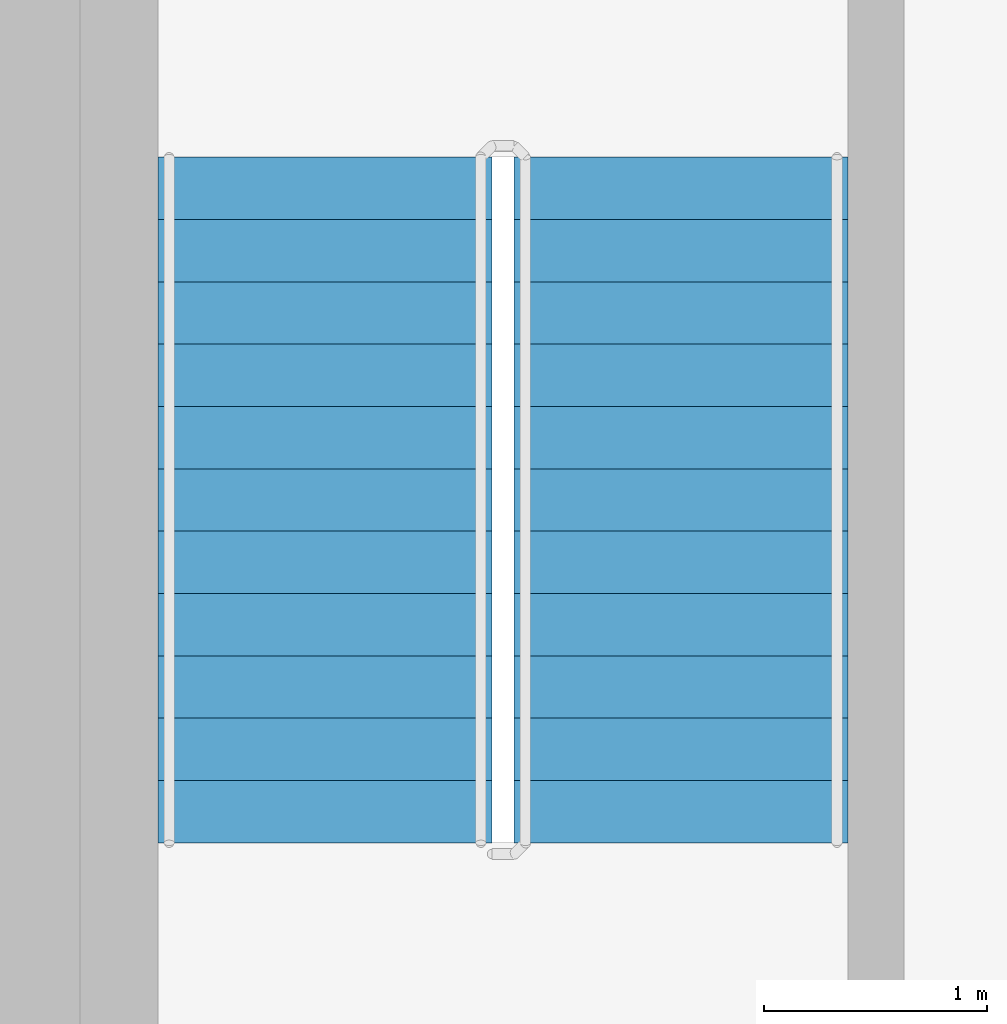
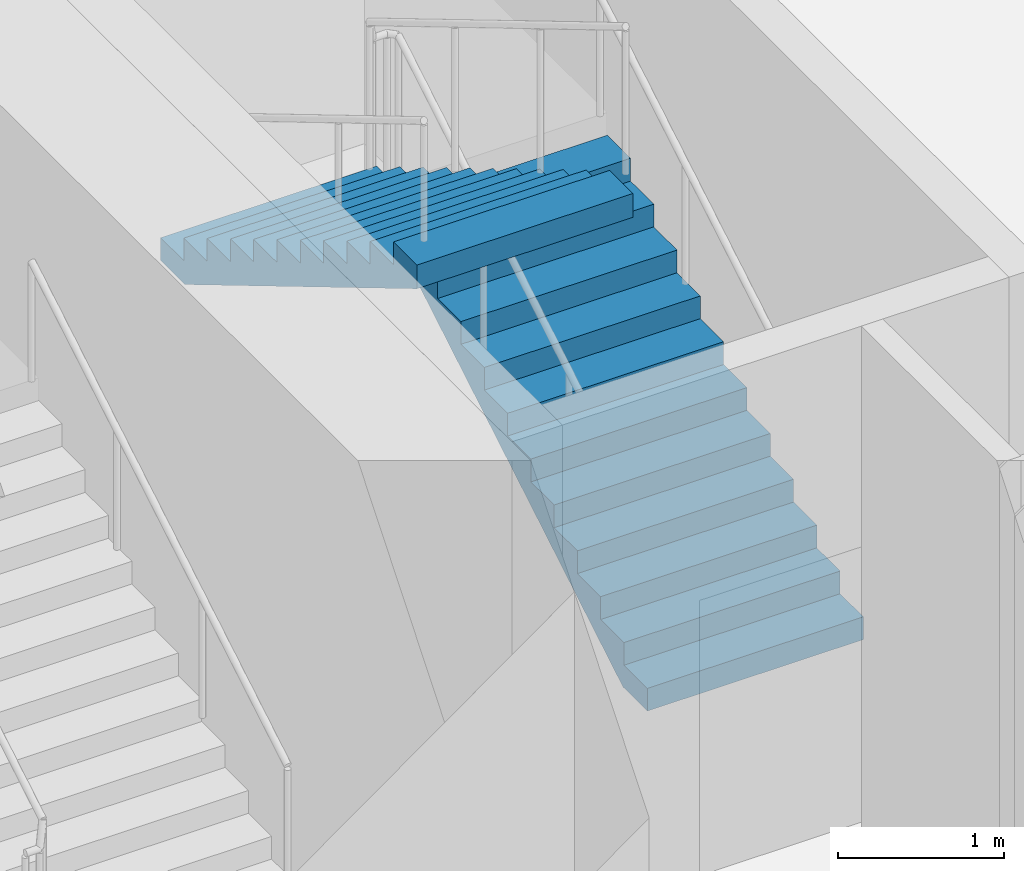
# One storey, part 16 of 26: 2 stair flights, 1 element without a shape of its own.
"""IFC4 building model written with IfcOpenShell, lengths in metres."""

from ifc_helpers import new_model, si_unit, direction, frame, origin, place, context, subcontext, project, spatial, triangles, source, transform, mapped, material, type_object, element, aggregate, save


model = new_model("IFC4")

# Units and contexts
model_context = context("Model", 3, precision=1e-05, world=origin(), true_north=direction((0.0, 1.0)))
body_context = subcontext(model_context, "Body", "Model", "MODEL_VIEW")
ifc_project = project(units=[si_unit("LENGTHUNIT", "METRE"), si_unit("AREAUNIT", "SQUARE_METRE"), si_unit("VOLUMEUNIT", "CUBIC_METRE"), si_unit("PLANEANGLEUNIT", "RADIAN"), si_unit("MASSUNIT", "GRAM", prefix="KILO")], contexts=[model_context])

# Site, building, storey
site_placement = place(None, origin())
site = spatial("IfcSite", under=ifc_project, at=site_placement, CompositionType="ELEMENT")
building_placement = place(site_placement, origin())
building = spatial("IfcBuilding", under=site, at=building_placement, Name="Kilnfold Tower and Market Hall", CompositionType="ELEMENT")
storey_placement = place(building_placement, frame((0.0, 0.0, 108.60009765625)))
storey = spatial("IfcBuildingStorey", under=building, at=storey_placement, Name="L25", CompositionType="ELEMENT", Elevation=108.60009765625)

# Stair, stair flights
ifc_material_1 = material(Name="Concrete C40/50", Category="concrete")
stair_type = type_object("IfcStairType", Name="CORE STAIR 1500", PredefinedType="HALF_TURN_STAIR", material=ifc_material_1)
stair_placement = place(storey_placement, origin())
stair = element("IfcStair", 1, at=stair_placement, inside=storey, type_object=stair_type, Name="L25 ST5", PredefinedType="HALF_TURN_STAIR")
ifc_material_2 = material(Name="Concrete C40/50", Category="concrete")
stair_flight_type = type_object("IfcStairFlightType", Name="CORE STAIR FLIGHT 1500", PredefinedType="STRAIGHT", material=ifc_material_2)
shared_shape = source(origin(), body_context, "Body", "Tessellation", [
    triangles([(0.0, 0.75, 0.0), (0.0, 0.65625, 0.0), (0.0, 0.5625, 0.0), (0.0, 0.46875, 0.0), (0.0, 0.375, 0.0), (0.0, 0.28125, 0.0), (0.0, 0.1875, 0.0), (0.0, 0.09375, 0.0), (0.0, 0.0, 0.0), (0.0, -0.09375, 0.0), (0.0, -0.1875, 0.0), (0.0, -0.28125, 0.0), (0.0, -0.375, 0.0), (0.0, -0.46875, 0.0), (0.0, -0.5625, 0.0), (0.0, -0.65625, 0.0), (0.0, -0.75, 0.0), (0.0, 0.75, 0.166748046875), (0.0, 0.65625, 0.166748046875), (0.0, 0.5625, 0.166748046875), (0.0, 0.46875, 0.166748046875), (0.0, 0.375, 0.166748046875), (0.0, 0.28125, 0.166748046875), (0.0, 0.1875, 0.166748046875), (0.0, 0.09375, 0.166748046875), (0.0, 0.0, 0.166748046875), (0.0, -0.09375, 0.166748046875), (0.0, -0.1875, 0.166748046875), (0.0, -0.28125, 0.166748046875), (0.0, -0.375, 0.166748046875), (0.0, -0.46875, 0.166748046875), (0.0, -0.5625, 0.166748046875), (0.0, -0.65625, 0.166748046875), (0.0, -0.75, 0.166748046875), (0.280029296875, 0.75, 0.166748046875), (0.280029296875, 0.65625, 0.166748046875), (0.280029296875, 0.5625, 0.166748046875), (0.280029296875, 0.46875, 0.166748046875), (0.280029296875, 0.375, 0.166748046875), (0.280029296875, 0.28125, 0.166748046875), (0.280029296875, 0.1875, 0.166748046875), (0.280029296875, 0.09375, 0.166748046875), (0.280029296875, 0.0, 0.166748046875), (0.280029296875, -0.09375, 0.166748046875), (0.280029296875, -0.1875, 0.166748046875), (0.280029296875, -0.28125, 0.166748046875), (0.280029296875, -0.375, 0.166748046875), (0.280029296875, -0.46875, 0.166748046875), (0.280029296875, -0.5625, 0.166748046875), (0.280029296875, -0.65625, 0.166748046875), (0.280029296875, -0.75, 0.166748046875), (0.280029296875, 0.75, 0.333251953125), (0.280029296875, 0.65625, 0.333251953125), (0.280029296875, 0.5625, 0.333251953125), (0.280029296875, 0.46875, 0.333251953125), (0.280029296875, 0.375, 0.333251953125), (0.280029296875, 0.28125, 0.333251953125), (0.280029296875, 0.1875, 0.333251953125), (0.280029296875, 0.09375, 0.333251953125), (0.280029296875, 0.0, 0.333251953125), (0.280029296875, -0.09375, 0.333251953125), (0.280029296875, -0.1875, 0.333251953125), (0.280029296875, -0.28125, 0.333251953125), (0.280029296875, -0.375, 0.333251953125), (0.280029296875, -0.46875, 0.333251953125), (0.280029296875, -0.5625, 0.333251953125), (0.280029296875, -0.65625, 0.333251953125), (0.280029296875, -0.75, 0.333251953125), (0.56005859375, 0.75, 0.333251953125), (0.56005859375, 0.65625, 0.333251953125), (0.56005859375, 0.5625, 0.333251953125), (0.56005859375, 0.46875, 0.333251953125), (0.56005859375, 0.375, 0.333251953125), (0.56005859375, 0.28125, 0.333251953125), (0.56005859375, 0.1875, 0.333251953125), (0.56005859375, 0.09375, 0.333251953125), (0.56005859375, 0.0, 0.333251953125), (0.56005859375, -0.09375, 0.333251953125), (0.56005859375, -0.1875, 0.333251953125), (0.56005859375, -0.28125, 0.333251953125), (0.56005859375, -0.375, 0.333251953125), (0.56005859375, -0.46875, 0.333251953125), (0.56005859375, -0.5625, 0.333251953125), (0.56005859375, -0.65625, 0.333251953125), (0.56005859375, -0.75, 0.333251953125), (0.56005859375, 0.75, 0.5), (0.56005859375, 0.65625, 0.5), (0.56005859375, 0.5625, 0.5), (0.56005859375, 0.46875, 0.5), (0.56005859375, 0.375, 0.5), (0.56005859375, 0.28125, 0.5), (0.56005859375, 0.1875, 0.5), (0.56005859375, 0.09375, 0.5), (0.56005859375, 0.0, 0.5), (0.56005859375, -0.09375, 0.5), (0.56005859375, -0.1875, 0.5), (0.56005859375, -0.28125, 0.5), (0.56005859375, -0.375, 0.5), (0.56005859375, -0.46875, 0.5), (0.56005859375, -0.5625, 0.5), (0.56005859375, -0.65625, 0.5), (0.56005859375, -0.75, 0.5), (0.840087890625, 0.75, 0.5), (0.840087890625, 0.65625, 0.5), (0.840087890625, 0.5625, 0.5), (0.840087890625, 0.46875, 0.5), (0.840087890625, 0.375, 0.5), (0.840087890625, 0.28125, 0.5), (0.840087890625, 0.1875, 0.5), (0.840087890625, 0.09375, 0.5), (0.840087890625, 0.0, 0.5), (0.840087890625, -0.09375, 0.5), (0.840087890625, -0.1875, 0.5), (0.840087890625, -0.28125, 0.5), (0.840087890625, -0.375, 0.5), (0.840087890625, -0.46875, 0.5), (0.840087890625, -0.5625, 0.5), (0.840087890625, -0.65625, 0.5), (0.840087890625, -0.75, 0.5), (0.840087890625, 0.75, 0.666748046875), (0.840087890625, 0.65625, 0.666748046875), (0.840087890625, 0.5625, 0.666748046875), (0.840087890625, 0.46875, 0.666748046875), (0.840087890625, 0.375, 0.666748046875), (0.840087890625, 0.28125, 0.666748046875), (0.840087890625, 0.1875, 0.666748046875), (0.840087890625, 0.09375, 0.666748046875), (0.840087890625, 0.0, 0.666748046875), (0.840087890625, -0.09375, 0.666748046875), (0.840087890625, -0.1875, 0.666748046875), (0.840087890625, -0.28125, 0.666748046875), (0.840087890625, -0.375, 0.666748046875), (0.840087890625, -0.46875, 0.666748046875), (0.840087890625, -0.5625, 0.666748046875), (0.840087890625, -0.65625, 0.666748046875), (0.840087890625, -0.75, 0.666748046875), (1.1201171875, 0.75, 0.666748046875), (1.1201171875, 0.65625, 0.666748046875), (1.1201171875, 0.5625, 0.666748046875), (1.1201171875, 0.46875, 0.666748046875), (1.1201171875, 0.375, 0.666748046875), (1.1201171875, 0.28125, 0.666748046875), (1.1201171875, 0.1875, 0.666748046875), (1.1201171875, 0.09375, 0.666748046875), (1.1201171875, 0.0, 0.666748046875), (1.1201171875, -0.09375, 0.666748046875), (1.1201171875, -0.1875, 0.666748046875), (1.1201171875, -0.28125, 0.666748046875), (1.1201171875, -0.375, 0.666748046875), (1.1201171875, -0.46875, 0.666748046875), (1.1201171875, -0.5625, 0.666748046875), (1.1201171875, -0.65625, 0.666748046875), (1.1201171875, -0.75, 0.666748046875), (1.1201171875, 0.75, 0.833251953125), (1.1201171875, 0.65625, 0.833251953125), (1.1201171875, 0.5625, 0.833251953125), (1.1201171875, 0.46875, 0.833251953125), (1.1201171875, 0.375, 0.833251953125), (1.1201171875, 0.28125, 0.833251953125), (1.1201171875, 0.1875, 0.833251953125), (1.1201171875, 0.09375, 0.833251953125), (1.1201171875, 0.0, 0.833251953125), (1.1201171875, -0.09375, 0.833251953125), (1.1201171875, -0.1875, 0.833251953125), (1.1201171875, -0.28125, 0.833251953125), (1.1201171875, -0.375, 0.833251953125), (1.1201171875, -0.46875, 0.833251953125), (1.1201171875, -0.5625, 0.833251953125), (1.1201171875, -0.65625, 0.833251953125), (1.1201171875, -0.75, 0.833251953125), (1.39990234375, 0.75, 0.833251953125), (1.39990234375, 0.65625, 0.833251953125), (1.39990234375, 0.5625, 0.833251953125), (1.39990234375, 0.46875, 0.833251953125), (1.39990234375, 0.375, 0.833251953125), (1.39990234375, 0.28125, 0.833251953125), (1.39990234375, 0.1875, 0.833251953125), (1.39990234375, 0.09375, 0.833251953125), (1.39990234375, 0.0, 0.833251953125), (1.39990234375, -0.09375, 0.833251953125), (1.39990234375, -0.1875, 0.833251953125), (1.39990234375, -0.28125, 0.833251953125), (1.39990234375, -0.375, 0.833251953125), (1.39990234375, -0.46875, 0.833251953125), (1.39990234375, -0.5625, 0.833251953125), (1.39990234375, -0.65625, 0.833251953125), (1.39990234375, -0.75, 0.833251953125), (1.39990234375, 0.75, 1.0), (1.39990234375, 0.65625, 1.0), (1.39990234375, 0.5625, 1.0), (1.39990234375, 0.46875, 1.0), (1.39990234375, 0.375, 1.0), (1.39990234375, 0.28125, 1.0), (1.39990234375, 0.1875, 1.0), (1.39990234375, 0.09375, 1.0), (1.39990234375, 0.0, 1.0), (1.39990234375, -0.09375, 1.0), (1.39990234375, -0.1875, 1.0), (1.39990234375, -0.28125, 1.0), (1.39990234375, -0.375, 1.0), (1.39990234375, -0.46875, 1.0), (1.39990234375, -0.5625, 1.0), (1.39990234375, -0.65625, 1.0), (1.39990234375, -0.75, 1.0), (1.679931640625, 0.75, 1.0), (1.679931640625, 0.65625, 1.0), (1.679931640625, 0.5625, 1.0), (1.679931640625, 0.46875, 1.0), (1.679931640625, 0.375, 1.0), (1.679931640625, 0.28125, 1.0), (1.679931640625, 0.1875, 1.0), (1.679931640625, 0.09375, 1.0), (1.679931640625, 0.0, 1.0), (1.679931640625, -0.09375, 1.0), (1.679931640625, -0.1875, 1.0), (1.679931640625, -0.28125, 1.0), (1.679931640625, -0.375, 1.0), (1.679931640625, -0.46875, 1.0), (1.679931640625, -0.5625, 1.0), (1.679931640625, -0.65625, 1.0), (1.679931640625, -0.75, 1.0), (1.679931640625, 0.75, 1.166748046875), (1.679931640625, 0.65625, 1.166748046875), (1.679931640625, 0.5625, 1.166748046875), (1.679931640625, 0.46875, 1.166748046875), (1.679931640625, 0.375, 1.166748046875), (1.679931640625, 0.28125, 1.166748046875), (1.679931640625, 0.1875, 1.166748046875), (1.679931640625, 0.09375, 1.166748046875), (1.679931640625, 0.0, 1.166748046875), (1.679931640625, -0.09375, 1.166748046875), (1.679931640625, -0.1875, 1.166748046875), (1.679931640625, -0.28125, 1.166748046875), (1.679931640625, -0.375, 1.166748046875), (1.679931640625, -0.46875, 1.166748046875), (1.679931640625, -0.5625, 1.166748046875), (1.679931640625, -0.65625, 1.166748046875), (1.679931640625, -0.75, 1.166748046875), (1.9599609375, 0.75, 1.166748046875), (1.9599609375, 0.65625, 1.166748046875), (1.9599609375, 0.5625, 1.166748046875), (1.9599609375, 0.46875, 1.166748046875), (1.9599609375, 0.375, 1.166748046875), (1.9599609375, 0.28125, 1.166748046875), (1.9599609375, 0.1875, 1.166748046875), (1.9599609375, 0.09375, 1.166748046875), (1.9599609375, 0.0, 1.166748046875), (1.9599609375, -0.09375, 1.166748046875), (1.9599609375, -0.1875, 1.166748046875), (1.9599609375, -0.28125, 1.166748046875), (1.9599609375, -0.375, 1.166748046875), (1.9599609375, -0.46875, 1.166748046875), (1.9599609375, -0.5625, 1.166748046875), (1.9599609375, -0.65625, 1.166748046875), (1.9599609375, -0.75, 1.166748046875), (1.9599609375, 0.75, 1.333251953125), (1.9599609375, 0.65625, 1.333251953125), (1.9599609375, 0.5625, 1.333251953125), (1.9599609375, 0.46875, 1.333251953125), (1.9599609375, 0.375, 1.333251953125), (1.9599609375, 0.28125, 1.333251953125), (1.9599609375, 0.1875, 1.333251953125), (1.9599609375, 0.09375, 1.333251953125), (1.9599609375, 0.0, 1.333251953125), (1.9599609375, -0.09375, 1.333251953125), (1.9599609375, -0.1875, 1.333251953125), (1.9599609375, -0.28125, 1.333251953125), (1.9599609375, -0.375, 1.333251953125), (1.9599609375, -0.46875, 1.333251953125), (1.9599609375, -0.5625, 1.333251953125), (1.9599609375, -0.65625, 1.333251953125), (1.9599609375, -0.75, 1.333251953125), (2.239990234375, 0.75, 1.333251953125), (2.239990234375, 0.65625, 1.333251953125), (2.239990234375, 0.5625, 1.333251953125), (2.239990234375, 0.46875, 1.333251953125), (2.239990234375, 0.375, 1.333251953125), (2.239990234375, 0.28125, 1.333251953125), (2.239990234375, 0.1875, 1.333251953125), (2.239990234375, 0.09375, 1.333251953125), (2.239990234375, 0.0, 1.333251953125), (2.239990234375, -0.09375, 1.333251953125), (2.239990234375, -0.1875, 1.333251953125), (2.239990234375, -0.28125, 1.333251953125), (2.239990234375, -0.375, 1.333251953125), (2.239990234375, -0.46875, 1.333251953125), (2.239990234375, -0.5625, 1.333251953125), (2.239990234375, -0.65625, 1.333251953125), (2.239990234375, -0.75, 1.333251953125), (2.239990234375, 0.75, 1.5), (2.239990234375, 0.65625, 1.5), (2.239990234375, 0.5625, 1.5), (2.239990234375, 0.46875, 1.5), (2.239990234375, 0.375, 1.5), (2.239990234375, 0.28125, 1.5), (2.239990234375, 0.1875, 1.5), (2.239990234375, 0.09375, 1.5), (2.239990234375, 0.0, 1.5), (2.239990234375, -0.09375, 1.5), (2.239990234375, -0.1875, 1.5), (2.239990234375, -0.28125, 1.5), (2.239990234375, -0.375, 1.5), (2.239990234375, -0.46875, 1.5), (2.239990234375, -0.5625, 1.5), (2.239990234375, -0.65625, 1.5), (2.239990234375, -0.75, 1.5), (2.52001953125, 0.75, 1.5), (2.52001953125, 0.65625, 1.5), (2.52001953125, 0.5625, 1.5), (2.52001953125, 0.46875, 1.5), (2.52001953125, 0.375, 1.5), (2.52001953125, 0.28125, 1.5), (2.52001953125, 0.1875, 1.5), (2.52001953125, 0.09375, 1.5), (2.52001953125, 0.0, 1.5), (2.52001953125, -0.09375, 1.5), (2.52001953125, -0.1875, 1.5), (2.52001953125, -0.28125, 1.5), (2.52001953125, -0.375, 1.5), (2.52001953125, -0.46875, 1.5), (2.52001953125, -0.5625, 1.5), (2.52001953125, -0.65625, 1.5), (2.52001953125, -0.75, 1.5), (2.52001953125, 0.75, 1.666748046875), (2.52001953125, 0.65625, 1.666748046875), (2.52001953125, 0.5625, 1.666748046875), (2.52001953125, 0.46875, 1.666748046875), (2.52001953125, 0.375, 1.666748046875), (2.52001953125, 0.28125, 1.666748046875), (2.52001953125, 0.1875, 1.666748046875), (2.52001953125, 0.09375, 1.666748046875), (2.52001953125, 0.0, 1.666748046875), (2.52001953125, -0.09375, 1.666748046875), (2.52001953125, -0.1875, 1.666748046875), (2.52001953125, -0.28125, 1.666748046875), (2.52001953125, -0.375, 1.666748046875), (2.52001953125, -0.46875, 1.666748046875), (2.52001953125, -0.5625, 1.666748046875), (2.52001953125, -0.65625, 1.666748046875), (2.52001953125, -0.75, 1.666748046875), (2.800048828125, 0.75, 1.666748046875), (2.800048828125, 0.65625, 1.666748046875), (2.800048828125, 0.5625, 1.666748046875), (2.800048828125, 0.46875, 1.666748046875), (2.800048828125, 0.375, 1.666748046875), (2.800048828125, 0.28125, 1.666748046875), (2.800048828125, 0.1875, 1.666748046875), (2.800048828125, 0.09375, 1.666748046875), (2.800048828125, 0.0, 1.666748046875), (2.800048828125, -0.09375, 1.666748046875), (2.800048828125, -0.1875, 1.666748046875), (2.800048828125, -0.28125, 1.666748046875), (2.800048828125, -0.375, 1.666748046875), (2.800048828125, -0.46875, 1.666748046875), (2.800048828125, -0.5625, 1.666748046875), (2.800048828125, -0.65625, 1.666748046875), (2.800048828125, -0.75, 1.666748046875), (2.800048828125, 0.75, 1.833251953125), (2.800048828125, 0.65625, 1.833251953125), (2.800048828125, 0.5625, 1.833251953125), (2.800048828125, 0.46875, 1.833251953125), (2.800048828125, 0.375, 1.833251953125), (2.800048828125, 0.28125, 1.833251953125), (2.800048828125, 0.1875, 1.833251953125), (2.800048828125, 0.09375, 1.833251953125), (2.800048828125, 0.0, 1.833251953125), (2.800048828125, -0.09375, 1.833251953125), (2.800048828125, -0.1875, 1.833251953125), (2.800048828125, -0.28125, 1.833251953125), (2.800048828125, -0.375, 1.833251953125), (2.800048828125, -0.46875, 1.833251953125), (2.800048828125, -0.5625, 1.833251953125), (2.800048828125, -0.65625, 1.833251953125), (2.800048828125, -0.75, 1.833251953125), (3.080078125, 0.75, 1.833251953125), (3.080078125, 0.65625, 1.833251953125), (3.080078125, 0.5625, 1.833251953125), (3.080078125, 0.46875, 1.833251953125), (3.080078125, 0.375, 1.833251953125), (3.080078125, 0.28125, 1.833251953125), (3.080078125, 0.1875, 1.833251953125), (3.080078125, 0.09375, 1.833251953125), (3.080078125, 0.0, 1.833251953125), (3.080078125, -0.09375, 1.833251953125), (3.080078125, -0.1875, 1.833251953125), (3.080078125, -0.28125, 1.833251953125), (3.080078125, -0.375, 1.833251953125), (3.080078125, -0.46875, 1.833251953125), (3.080078125, -0.5625, 1.833251953125), (3.080078125, -0.65625, 1.833251953125), (3.080078125, -0.75, 1.833251953125), (3.080078125, 0.75, 1.658935546875), (3.080078125, 0.65625, 1.658935546875), (3.080078125, 0.5625, 1.658935546875), (3.080078125, 0.46875, 1.658935546875), (3.080078125, 0.375, 1.658935546875), (3.080078125, 0.28125, 1.658935546875), (3.080078125, 0.1875, 1.658935546875), (3.080078125, 0.09375, 1.658935546875), (3.080078125, 0.0, 1.658935546875), (3.080078125, -0.09375, 1.658935546875), (3.080078125, -0.1875, 1.658935546875), (3.080078125, -0.28125, 1.658935546875), (3.080078125, -0.375, 1.658935546875), (3.080078125, -0.46875, 1.658935546875), (3.080078125, -0.5625, 1.658935546875), (3.080078125, -0.65625, 1.658935546875), (3.080078125, -0.75, 1.658935546875), (0.29296875, 0.75, 0.0), (0.29296875, 0.65625, 0.0), (0.29296875, 0.5625, 0.0), (0.29296875, 0.46875, 0.0), (0.29296875, 0.375, 0.0), (0.29296875, 0.28125, 0.0), (0.29296875, 0.1875, 0.0), (0.29296875, 0.09375, 0.0), (0.29296875, 0.0, 0.0), (0.29296875, -0.09375, 0.0), (0.29296875, -0.1875, 0.0), (0.29296875, -0.28125, 0.0), (0.29296875, -0.375, 0.0), (0.29296875, -0.46875, 0.0), (0.29296875, -0.5625, 0.0), (0.29296875, -0.65625, 0.0), (0.29296875, -0.75, 0.0)], [[1, 392, 409], [17, 425, 408], [392, 358, 375], [408, 391, 374], [392, 341, 358], [408, 374, 357], [392, 324, 341], [408, 357, 340], [392, 307, 324], [408, 340, 323], [307, 273, 290], [323, 306, 289], [392, 273, 307], [408, 323, 289], [273, 239, 256], [289, 272, 255], [392, 239, 273], [408, 289, 255], [239, 205, 222], [255, 238, 221], [392, 205, 239], [408, 255, 221], [205, 171, 188], [221, 204, 187], [392, 171, 205], [408, 221, 187], [171, 137, 154], [187, 170, 153], [392, 137, 171], [408, 187, 153], [137, 103, 120], [153, 136, 119], [392, 103, 137], [408, 153, 119], [103, 69, 86], [119, 102, 85], [392, 69, 103], [408, 119, 85], [1, 69, 392], [17, 408, 85], [69, 35, 52], [85, 68, 51], [1, 35, 69], [17, 85, 51], [35, 1, 18], [51, 34, 17], [1, 19, 18], [1, 2, 19], [2, 20, 19], [2, 3, 20], [3, 21, 20], [3, 4, 21], [4, 22, 21], [4, 5, 22], [5, 23, 22], [5, 6, 23], [6, 24, 23], [6, 7, 24], [7, 25, 24], [7, 8, 25], [8, 26, 25], [8, 9, 26], [9, 27, 26], [9, 10, 27], [10, 28, 27], [10, 11, 28], [11, 29, 28], [11, 12, 29], [12, 30, 29], [12, 13, 30], [13, 31, 30], [13, 14, 31], [14, 32, 31], [14, 15, 32], [15, 33, 32], [15, 16, 33], [16, 34, 33], [16, 17, 34], [18, 36, 35], [18, 19, 36], [19, 37, 36], [19, 20, 37], [20, 38, 37], [20, 21, 38], [21, 39, 38], [21, 22, 39], [22, 40, 39], [22, 23, 40], [23, 41, 40], [23, 24, 41], [24, 42, 41], [24, 25, 42], [25, 43, 42], [25, 26, 43], [26, 44, 43], [26, 27, 44], [27, 45, 44], [27, 28, 45], [28, 46, 45], [28, 29, 46], [29, 47, 46], [29, 30, 47], [30, 48, 47], [30, 31, 48], [31, 49, 48], [31, 32, 49], [32, 50, 49], [32, 33, 50], [33, 51, 50], [33, 34, 51], [35, 53, 52], [35, 36, 53], [36, 54, 53], [36, 37, 54], [37, 55, 54], [37, 38, 55], [38, 56, 55], [38, 39, 56], [39, 57, 56], [39, 40, 57], [40, 58, 57], [40, 41, 58], [41, 59, 58], [41, 42, 59], [42, 60, 59], [42, 43, 60], [43, 61, 60], [43, 44, 61], [44, 62, 61], [44, 45, 62], [45, 63, 62], [45, 46, 63], [46, 64, 63], [46, 47, 64], [47, 65, 64], [47, 48, 65], [48, 66, 65], [48, 49, 66], [49, 67, 66], [49, 50, 67], [50, 68, 67], [50, 51, 68], [52, 70, 69], [52, 53, 70], [53, 71, 70], [53, 54, 71], [54, 72, 71], [54, 55, 72], [55, 73, 72], [55, 56, 73], [56, 74, 73], [56, 57, 74], [57, 75, 74], [57, 58, 75], [58, 76, 75], [58, 59, 76], [59, 77, 76], [59, 60, 77], [60, 78, 77], [60, 61, 78], [61, 79, 78], [61, 62, 79], [62, 80, 79], [62, 63, 80], [63, 81, 80], [63, 64, 81], [64, 82, 81], [64, 65, 82], [65, 83, 82], [65, 66, 83], [66, 84, 83], [66, 67, 84], [67, 85, 84], [67, 68, 85], [69, 87, 86], [69, 70, 87], [70, 88, 87], [70, 71, 88], [71, 89, 88], [71, 72, 89], [72, 90, 89], [72, 73, 90], [73, 91, 90], [73, 74, 91], [74, 92, 91], [74, 75, 92], [75, 93, 92], [75, 76, 93], [76, 94, 93], [76, 77, 94], [77, 95, 94], [77, 78, 95], [78, 96, 95], [78, 79, 96], [79, 97, 96], [79, 80, 97], [80, 98, 97], [80, 81, 98], [81, 99, 98], [81, 82, 99], [82, 100, 99], [82, 83, 100], [83, 101, 100], [83, 84, 101], [84, 102, 101], [84, 85, 102], [86, 104, 103], [86, 87, 104], [87, 105, 104], [87, 88, 105], [88, 106, 105], [88, 89, 106], [89, 107, 106], [89, 90, 107], [90, 108, 107], [90, 91, 108], [91, 109, 108], [91, 92, 109], [92, 110, 109], [92, 93, 110], [93, 111, 110], [93, 94, 111], [94, 112, 111], [94, 95, 112], [95, 113, 112], [95, 96, 113], [96, 114, 113], [96, 97, 114], [97, 115, 114], [97, 98, 115], [98, 116, 115], [98, 99, 116], [99, 117, 116], [99, 100, 117], [100, 118, 117], [100, 101, 118], [101, 119, 118], [101, 102, 119], [103, 121, 120], [103, 104, 121], [104, 122, 121], [104, 105, 122], [105, 123, 122], [105, 106, 123], [106, 124, 123], [106, 107, 124], [107, 125, 124], [107, 108, 125], [108, 126, 125], [108, 109, 126], [109, 127, 126], [109, 110, 127], [110, 128, 127], [110, 111, 128], [111, 129, 128], [111, 112, 129], [112, 130, 129], [112, 113, 130], [113, 131, 130], [113, 114, 131], [114, 132, 131], [114, 115, 132], [115, 133, 132], [115, 116, 133], [116, 134, 133], [116, 117, 134], [117, 135, 134], [117, 118, 135], [118, 136, 135], [118, 119, 136], [120, 138, 137], [120, 121, 138], [121, 139, 138], [121, 122, 139], [122, 140, 139], [122, 123, 140], [123, 141, 140], [123, 124, 141], [124, 142, 141], [124, 125, 142], [125, 143, 142], [125, 126, 143], [126, 144, 143], [126, 127, 144], [127, 145, 144], [127, 128, 145], [128, 146, 145], [128, 129, 146], [129, 147, 146], [129, 130, 147], [130, 148, 147], [130, 131, 148], [131, 149, 148], [131, 132, 149], [132, 150, 149], [132, 133, 150], [133, 151, 150], [133, 134, 151], [134, 152, 151], [134, 135, 152], [135, 153, 152], [135, 136, 153], [137, 155, 154], [137, 138, 155], [138, 156, 155], [138, 139, 156], [139, 157, 156], [139, 140, 157], [140, 158, 157], [140, 141, 158], [141, 159, 158], [141, 142, 159], [142, 160, 159], [142, 143, 160], [143, 161, 160], [143, 144, 161], [144, 162, 161], [144, 145, 162], [145, 163, 162], [145, 146, 163], [146, 164, 163], [146, 147, 164], [147, 165, 164], [147, 148, 165], [148, 166, 165], [148, 149, 166], [149, 167, 166], [149, 150, 167], [150, 168, 167], [150, 151, 168], [151, 169, 168], [151, 152, 169], [152, 170, 169], [152, 153, 170], [154, 172, 171], [154, 155, 172], [155, 173, 172], [155, 156, 173], [156, 174, 173], [156, 157, 174], [157, 175, 174], [157, 158, 175], [158, 176, 175], [158, 159, 176], [159, 177, 176], [159, 160, 177], [160, 178, 177], [160, 161, 178], [161, 179, 178], [161, 162, 179], [162, 180, 179], [162, 163, 180], [163, 181, 180], [163, 164, 181], [164, 182, 181], [164, 165, 182], [165, 183, 182], [165, 166, 183], [166, 184, 183], [166, 167, 184], [167, 185, 184], [167, 168, 185], [168, 186, 185], [168, 169, 186], [169, 187, 186], [169, 170, 187], [171, 189, 188], [171, 172, 189], [172, 190, 189], [172, 173, 190], [173, 191, 190], [173, 174, 191], [174, 192, 191], [174, 175, 192], [175, 193, 192], [175, 176, 193], [176, 194, 193], [176, 177, 194], [177, 195, 194], [177, 178, 195], [178, 196, 195], [178, 179, 196], [179, 197, 196], [179, 180, 197], [180, 198, 197], [180, 181, 198], [181, 199, 198], [181, 182, 199], [182, 200, 199], [182, 183, 200], [183, 201, 200], [183, 184, 201], [184, 202, 201], [184, 185, 202], [185, 203, 202], [185, 186, 203], [186, 204, 203], [186, 187, 204], [188, 206, 205], [188, 189, 206], [189, 207, 206], [189, 190, 207], [190, 208, 207], [190, 191, 208], [191, 209, 208], [191, 192, 209], [192, 210, 209], [192, 193, 210], [193, 211, 210], [193, 194, 211], [194, 212, 211], [194, 195, 212], [195, 213, 212], [195, 196, 213], [196, 214, 213], [196, 197, 214], [197, 215, 214], [197, 198, 215], [198, 216, 215], [198, 199, 216], [199, 217, 216], [199, 200, 217], [200, 218, 217], [200, 201, 218], [201, 219, 218], [201, 202, 219], [202, 220, 219], [202, 203, 220], [203, 221, 220], [203, 204, 221], [205, 223, 222], [205, 206, 223], [206, 224, 223], [206, 207, 224], [207, 225, 224], [207, 208, 225], [208, 226, 225], [208, 209, 226], [209, 227, 226], [209, 210, 227], [210, 228, 227], [210, 211, 228], [211, 229, 228], [211, 212, 229], [212, 230, 229], [212, 213, 230], [213, 231, 230], [213, 214, 231], [214, 232, 231], [214, 215, 232], [215, 233, 232], [215, 216, 233], [216, 234, 233], [216, 217, 234], [217, 235, 234], [217, 218, 235], [218, 236, 235], [218, 219, 236], [219, 237, 236], [219, 220, 237], [220, 238, 237], [220, 221, 238], [222, 240, 239], [222, 223, 240], [223, 241, 240], [223, 224, 241], [224, 242, 241], [224, 225, 242], [225, 243, 242], [225, 226, 243], [226, 244, 243], [226, 227, 244], [227, 245, 244], [227, 228, 245], [228, 246, 245], [228, 229, 246], [229, 247, 246], [229, 230, 247], [230, 248, 247], [230, 231, 248], [231, 249, 248], [231, 232, 249], [232, 250, 249], [232, 233, 250], [233, 251, 250], [233, 234, 251], [234, 252, 251], [234, 235, 252], [235, 253, 252], [235, 236, 253], [236, 254, 253], [236, 237, 254], [237, 255, 254], [237, 238, 255], [239, 257, 256], [239, 240, 257], [240, 258, 257], [240, 241, 258], [241, 259, 258], [241, 242, 259], [242, 260, 259], [242, 243, 260], [243, 261, 260], [243, 244, 261], [244, 262, 261], [244, 245, 262], [245, 263, 262], [245, 246, 263], [246, 264, 263], [246, 247, 264], [247, 265, 264], [247, 248, 265], [248, 266, 265], [248, 249, 266], [249, 267, 266], [249, 250, 267], [250, 268, 267], [250, 251, 268], [251, 269, 268], [251, 252, 269], [252, 270, 269], [252, 253, 270], [253, 271, 270], [253, 254, 271], [254, 272, 271], [254, 255, 272], [256, 274, 273], [256, 257, 274], [257, 275, 274], [257, 258, 275], [258, 276, 275], [258, 259, 276], [259, 277, 276], [259, 260, 277], [260, 278, 277], [260, 261, 278], [261, 279, 278], [261, 262, 279], [262, 280, 279], [262, 263, 280], [263, 281, 280], [263, 264, 281], [264, 282, 281], [264, 265, 282], [265, 283, 282], [265, 266, 283], [266, 284, 283], [266, 267, 284], [267, 285, 284], [267, 268, 285], [268, 286, 285], [268, 269, 286], [269, 287, 286], [269, 270, 287], [270, 288, 287], [270, 271, 288], [271, 289, 288], [271, 272, 289], [273, 291, 290], [273, 274, 291], [274, 292, 291], [274, 275, 292], [275, 293, 292], [275, 276, 293], [276, 294, 293], [276, 277, 294], [277, 295, 294], [277, 278, 295], [278, 296, 295], [278, 279, 296], [279, 297, 296], [279, 280, 297], [280, 298, 297], [280, 281, 298], [281, 299, 298], [281, 282, 299], [282, 300, 299], [282, 283, 300], [283, 301, 300], [283, 284, 301], [284, 302, 301], [284, 285, 302], [285, 303, 302], [285, 286, 303], [286, 304, 303], [286, 287, 304], [287, 305, 304], [287, 288, 305], [288, 306, 305], [288, 289, 306], [290, 308, 307], [290, 291, 308], [291, 309, 308], [291, 292, 309], [292, 310, 309], [292, 293, 310], [293, 311, 310], [293, 294, 311], [294, 312, 311], [294, 295, 312], [295, 313, 312], [295, 296, 313], [296, 314, 313], [296, 297, 314], [297, 315, 314], [297, 298, 315], [298, 316, 315], [298, 299, 316], [299, 317, 316], [299, 300, 317], [300, 318, 317], [300, 301, 318], [301, 319, 318], [301, 302, 319], [302, 320, 319], [302, 303, 320], [303, 321, 320], [303, 304, 321], [304, 322, 321], [304, 305, 322], [305, 323, 322], [305, 306, 323], [307, 325, 324], [307, 308, 325], [308, 326, 325], [308, 309, 326], [309, 327, 326], [309, 310, 327], [310, 328, 327], [310, 311, 328], [311, 329, 328], [311, 312, 329], [312, 330, 329], [312, 313, 330], [313, 331, 330], [313, 314, 331], [314, 332, 331], [314, 315, 332], [315, 333, 332], [315, 316, 333], [316, 334, 333], [316, 317, 334], [317, 335, 334], [317, 318, 335], [318, 336, 335], [318, 319, 336], [319, 337, 336], [319, 320, 337], [320, 338, 337], [320, 321, 338], [321, 339, 338], [321, 322, 339], [322, 340, 339], [322, 323, 340], [324, 342, 341], [324, 325, 342], [325, 343, 342], [325, 326, 343], [326, 344, 343], [326, 327, 344], [327, 345, 344], [327, 328, 345], [328, 346, 345], [328, 329, 346], [329, 347, 346], [329, 330, 347], [330, 348, 347], [330, 331, 348], [331, 349, 348], [331, 332, 349], [332, 350, 349], [332, 333, 350], [333, 351, 350], [333, 334, 351], [334, 352, 351], [334, 335, 352], [335, 353, 352], [335, 336, 353], [336, 354, 353], [336, 337, 354], [337, 355, 354], [337, 338, 355], [338, 356, 355], [338, 339, 356], [339, 357, 356], [339, 340, 357], [341, 359, 358], [341, 342, 359], [342, 360, 359], [342, 343, 360], [343, 361, 360], [343, 344, 361], [344, 362, 361], [344, 345, 362], [345, 363, 362], [345, 346, 363], [346, 364, 363], [346, 347, 364], [347, 365, 364], [347, 348, 365], [348, 366, 365], [348, 349, 366], [349, 367, 366], [349, 350, 367], [350, 368, 367], [350, 351, 368], [351, 369, 368], [351, 352, 369], [352, 370, 369], [352, 353, 370], [353, 371, 370], [353, 354, 371], [354, 372, 371], [354, 355, 372], [355, 373, 372], [355, 356, 373], [356, 374, 373], [356, 357, 374], [358, 376, 375], [358, 359, 376], [359, 377, 376], [359, 360, 377], [360, 378, 377], [360, 361, 378], [361, 379, 378], [361, 362, 379], [362, 380, 379], [362, 363, 380], [363, 381, 380], [363, 364, 381], [364, 382, 381], [364, 365, 382], [365, 383, 382], [365, 366, 383], [366, 384, 383], [366, 367, 384], [367, 385, 384], [367, 368, 385], [368, 386, 385], [368, 369, 386], [369, 387, 386], [369, 370, 387], [370, 388, 387], [370, 371, 388], [371, 389, 388], [371, 372, 389], [372, 390, 389], [372, 373, 390], [373, 391, 390], [373, 374, 391], [375, 393, 392], [375, 376, 393], [376, 394, 393], [376, 377, 394], [377, 395, 394], [377, 378, 395], [378, 396, 395], [378, 379, 396], [379, 397, 396], [379, 380, 397], [380, 398, 397], [380, 381, 398], [381, 399, 398], [381, 382, 399], [382, 400, 399], [382, 383, 400], [383, 401, 400], [383, 384, 401], [384, 402, 401], [384, 385, 402], [385, 403, 402], [385, 386, 403], [386, 404, 403], [386, 387, 404], [387, 405, 404], [387, 388, 405], [388, 406, 405], [388, 389, 406], [389, 407, 406], [389, 390, 407], [390, 408, 407], [390, 391, 408], [392, 410, 409], [392, 393, 410], [393, 411, 410], [393, 394, 411], [394, 412, 411], [394, 395, 412], [395, 413, 412], [395, 396, 413], [396, 414, 413], [396, 397, 414], [397, 415, 414], [397, 398, 415], [398, 416, 415], [398, 399, 416], [399, 417, 416], [399, 400, 417], [400, 418, 417], [400, 401, 418], [401, 419, 418], [401, 402, 419], [402, 420, 419], [402, 403, 420], [403, 421, 420], [403, 404, 421], [404, 422, 421], [404, 405, 422], [405, 423, 422], [405, 406, 423], [406, 424, 423], [406, 407, 424], [407, 425, 424], [407, 408, 425], [409, 2, 1], [409, 410, 2], [410, 3, 2], [410, 411, 3], [411, 4, 3], [411, 412, 4], [412, 5, 4], [412, 413, 5], [413, 6, 5], [413, 414, 6], [414, 7, 6], [414, 415, 7], [415, 8, 7], [415, 416, 8], [416, 9, 8], [416, 417, 9], [417, 10, 9], [417, 418, 10], [418, 11, 10], [418, 419, 11], [419, 12, 11], [419, 420, 12], [420, 13, 12], [420, 421, 13], [421, 14, 13], [421, 422, 14], [422, 15, 14], [422, 423, 15], [423, 16, 15], [423, 424, 16], [424, 17, 16], [424, 425, 17]], closed=True),
])
stair_flight_1_placement = place(storey_placement, frame((20.699951171875, 11.5, 0.0), z_axis=(0.0, 0.0, 1.0), x_axis=(0.0, 1.0, 0.0)))
stair_flight_1 = element("IfcStairFlight", 2, at=stair_flight_1_placement, type_object=stair_flight_type, Name="ST5 flight 1", NumberOfRisers=12, NumberOfTreads=11, PredefinedType="STRAIGHT", RiserHeight=0.166666667, TreadLength=0.28, context=body_context, shape_type="MappedRepresentation", body=[
    mapped(shared_shape, transform((0.0, 0.0, 0.0))),
])
stair_flight_2_placement = place(storey_placement, frame((19.10009765625, 14.580078125, 2.0), z_axis=(0.0, 0.0, 1.0), x_axis=(0.0, -1.0, 0.0)))
stair_flight_2 = element("IfcStairFlight", 3, at=stair_flight_2_placement, type_object=stair_flight_type, Name="ST5 flight 2", NumberOfRisers=12, NumberOfTreads=11, PredefinedType="STRAIGHT", RiserHeight=0.166666667, TreadLength=0.28, context=body_context, shape_type="MappedRepresentation", body=[
    mapped(shared_shape, transform((0.0, 0.0, 0.0))),
])
aggregate(stair, [stair_flight_1, stair_flight_2])

save(model, "model.ifc")
